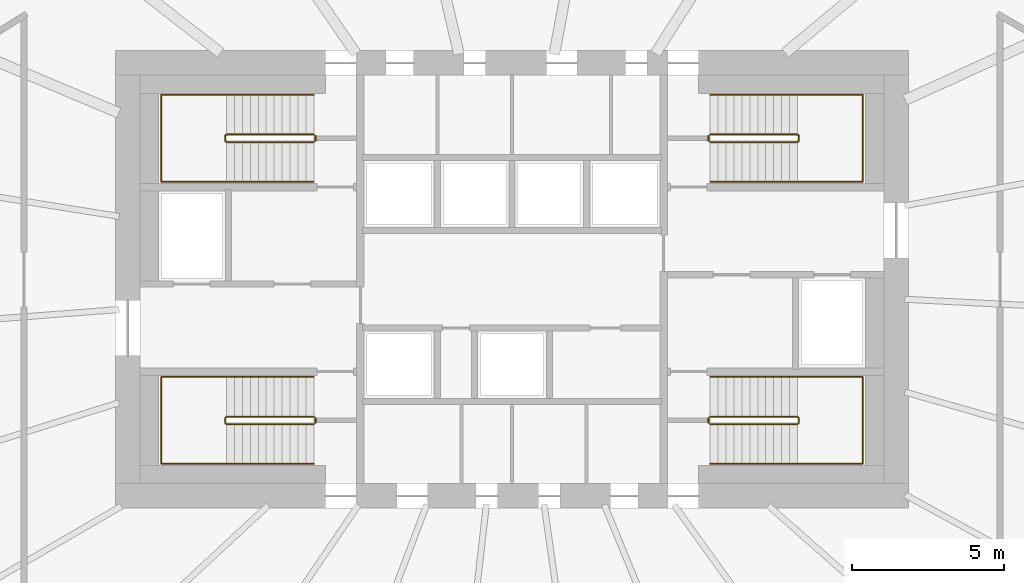
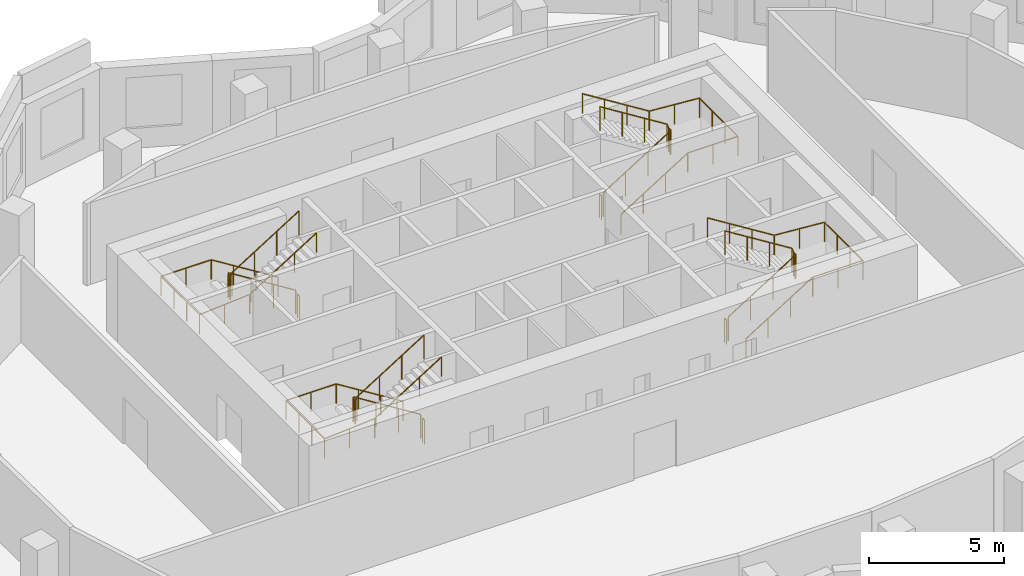
# One storey, part 8 of 8: 12 railings.
"""IFC4 building model written with IfcOpenShell, lengths in metres."""

from ifc_helpers import new_model, si_unit, direction, frame, origin, origin_2d, place, context, subcontext, project, spatial, circle, extrude, material, type_object, element, save


model = new_model("IFC4")

# Units and contexts
model_context = context("Model", 3, precision=1e-05, world=origin(), true_north=direction((0.0, 1.0)))
body_context = subcontext(model_context, "Body", "Model", "MODEL_VIEW")
ifc_project = project(units=[si_unit("LENGTHUNIT", "METRE"), si_unit("AREAUNIT", "SQUARE_METRE"), si_unit("VOLUMEUNIT", "CUBIC_METRE"), si_unit("PLANEANGLEUNIT", "RADIAN"), si_unit("MASSUNIT", "GRAM", prefix="KILO")], contexts=[model_context])

# Site, building, storey
site_placement = place(None, origin())
site = spatial("IfcSite", under=ifc_project, at=site_placement, CompositionType="ELEMENT")
building_placement = place(site_placement, origin())
building = spatial("IfcBuilding", under=site, at=building_placement, Name="Rubra Terraces Tower", CompositionType="ELEMENT")
storey_placement = place(building_placement, frame((0.0, 0.0, 240.89990234375)))
storey = spatial("IfcBuildingStorey", under=building, at=storey_placement, Name="L59", CompositionType="ELEMENT", Elevation=240.89990234375)

# Railings
ifc_material = material(Name="Stainless steel", Category="steel")
railing_type_1 = type_object("IfcRailingType", Name="Core stair guard 1100", PredefinedType="GUARDRAIL", material=ifc_material)
railing_1_placement = place(storey_placement, frame((-6.5, 0.0, 0.16259765625)))
element("IfcRailing", 1, at=railing_1_placement, inside=storey, type_object=railing_type_1, Name="L59 stair S1 guard 1", PredefinedType="GUARDRAIL", context=body_context, shape_type="SweptSolid", body=[
    extrude(circle(Radius=0.02392578125, at=origin_2d()), frame((0.0, 0.0, 1.076171875), z_axis=(-0.847994237388, 0.0, 0.530005446535), x_axis=(0.0, -1.0, 0.0)), (0.0, 0.0, 1.0), 3.372802734375),
    extrude(circle(Radius=0.02392578125, at=origin_2d()), frame((-2.860107421875, 0.0, 2.86376953125), z_axis=(-0.705375805398, -0.708833529934, 0.0), x_axis=(0.708833529934, -0.705375805398, 0.0)), (0.0, 0.0, 1.0), 0.070556640625),
    extrude(circle(Radius=0.02392578125, at=origin_2d()), frame((-2.909912109375, -0.050048828125, 2.86376953125), z_axis=(0.0, -1.0, 0.0), x_axis=(1.0, 0.0, 0.0)), (0.0, 0.0, 1.0), 0.14990234375),
    extrude(circle(Radius=0.02392578125, at=origin_2d()), frame((-2.909912109375, -0.199951171875, 2.86376953125), z_axis=(0.281314826061, -0.282693820306, 0.917031173188), x_axis=(0.708833529934, 0.705375805398, 0.0)), (0.0, 0.0, 1.0), 0.177001953125),
    extrude(circle(Radius=0.02392578125, at=origin_2d()), frame((-2.860107421875, -0.25, 3.02587890625), z_axis=(0.847994237388, 0.0, 0.530005446535), x_axis=(0.0, 1.0, 0.0)), (0.0, 0.0, 1.0), 3.372802734375),
    extrude(circle(Radius=0.02099609375, at=origin_2d()), origin(), (0.0, 0.0, 1.0), 1.052001953125),
    extrude(circle(Radius=0.02099609375, at=origin_2d()), frame((-0.953369140625, 0.0, 0.595947265625)), (0.0, 0.0, 1.0), 1.052001953125),
    extrude(circle(Radius=0.02099609375, at=origin_2d()), frame((-1.90673828125, 0.0, 1.191650390625)), (0.0, 0.0, 1.0), 1.052001953125),
    extrude(circle(Radius=0.02099609375, at=origin_2d()), frame((-2.860107421875, 0.0, 1.78759765625)), (0.0, 0.0, 1.0), 1.052001953125),
    extrude(circle(Radius=0.02099609375, at=origin_2d()), frame((-2.909912109375, -0.050048828125, 1.78759765625)), (0.0, 0.0, 1.0), 1.052001953125),
    extrude(circle(Radius=0.02099609375, at=origin_2d()), frame((-2.909912109375, -0.199951171875, 1.78759765625)), (0.0, 0.0, 1.0), 1.052001953125),
    extrude(circle(Radius=0.02099609375, at=origin_2d()), frame((-2.860107421875, -0.25, 1.949951171875)), (0.0, 0.0, 1.0), 1.052001953125),
    extrude(circle(Radius=0.02099609375, at=origin_2d()), frame((-1.90673828125, -0.25, 2.5458984375)), (0.0, 0.0, 1.0), 1.052001953125),
    extrude(circle(Radius=0.02099609375, at=origin_2d()), frame((-0.953369140625, -0.25, 3.1416015625)), (0.0, 0.0, 1.0), 1.052001953125),
    extrude(circle(Radius=0.02099609375, at=origin_2d()), frame((0.0, -0.25, 3.737548828125)), (0.0, 0.0, 1.0), 1.052001953125),
])
railing_2_placement = place(storey_placement, frame((-6.449951171875, -0.050048828125, 0.0)))
element("IfcRailing", 2, at=railing_2_placement, inside=storey, type_object=railing_type_1, Name="L59 stair S1 guard 2", PredefinedType="GUARDRAIL", context=body_context, shape_type="SweptSolid", body=[
    extrude(circle(Radius=0.02392578125, at=origin_2d()), frame((0.0, 0.0, 1.076171875), z_axis=(0.0, -1.0, 0.0), x_axis=(1.0, 0.0, 0.0)), (0.0, 0.0, 1.0), 0.14990234375),
    extrude(circle(Radius=0.02099609375, at=origin_2d()), origin(), (0.0, 0.0, 1.0), 1.052001953125),
    extrude(circle(Radius=0.02099609375, at=origin_2d()), frame((0.0, -0.14990234375, 0.0)), (0.0, 0.0, 1.0), 1.052001953125),
])
railing_3_placement = place(storey_placement, frame((-6.5, 9.25, 0.16259765625)))
element("IfcRailing", 3, at=railing_3_placement, inside=storey, type_object=railing_type_1, Name="L59 stair S2 guard 1", PredefinedType="GUARDRAIL", context=body_context, shape_type="SweptSolid", body=[
    extrude(circle(Radius=0.02392578125, at=origin_2d()), frame((0.0, 0.0, 1.076171875), z_axis=(-0.847994237388, 0.0, 0.530005446535), x_axis=(0.0, -1.0, 0.0)), (0.0, 0.0, 1.0), 3.372802734375),
    extrude(circle(Radius=0.02392578125, at=origin_2d()), frame((-2.860107421875, 0.0, 2.86376953125), z_axis=(-0.705375805398, -0.708833529934, 0.0), x_axis=(0.708833529934, -0.705375805398, 0.0)), (0.0, 0.0, 1.0), 0.070556640625),
    extrude(circle(Radius=0.02392578125, at=origin_2d()), frame((-2.909912109375, -0.050048828125, 2.86376953125), z_axis=(0.0, -1.0, 0.0), x_axis=(1.0, 0.0, 0.0)), (0.0, 0.0, 1.0), 0.14990234375),
    extrude(circle(Radius=0.02392578125, at=origin_2d()), frame((-2.909912109375, -0.199951171875, 2.86376953125), z_axis=(0.281314826061, -0.282693820306, 0.917031173188), x_axis=(0.708833529934, 0.705375805398, 0.0)), (0.0, 0.0, 1.0), 0.177001953125),
    extrude(circle(Radius=0.02392578125, at=origin_2d()), frame((-2.860107421875, -0.25, 3.02587890625), z_axis=(0.847994237388, 0.0, 0.530005446535), x_axis=(0.0, 1.0, 0.0)), (0.0, 0.0, 1.0), 3.372802734375),
    extrude(circle(Radius=0.02099609375, at=origin_2d()), origin(), (0.0, 0.0, 1.0), 1.052001953125),
    extrude(circle(Radius=0.02099609375, at=origin_2d()), frame((-0.953369140625, 0.0, 0.595947265625)), (0.0, 0.0, 1.0), 1.052001953125),
    extrude(circle(Radius=0.02099609375, at=origin_2d()), frame((-1.90673828125, 0.0, 1.191650390625)), (0.0, 0.0, 1.0), 1.052001953125),
    extrude(circle(Radius=0.02099609375, at=origin_2d()), frame((-2.860107421875, 0.0, 1.78759765625)), (0.0, 0.0, 1.0), 1.052001953125),
    extrude(circle(Radius=0.02099609375, at=origin_2d()), frame((-2.909912109375, -0.050048828125, 1.78759765625)), (0.0, 0.0, 1.0), 1.052001953125),
    extrude(circle(Radius=0.02099609375, at=origin_2d()), frame((-2.909912109375, -0.199951171875, 1.78759765625)), (0.0, 0.0, 1.0), 1.052001953125),
    extrude(circle(Radius=0.02099609375, at=origin_2d()), frame((-2.860107421875, -0.25, 1.949951171875)), (0.0, 0.0, 1.0), 1.052001953125),
    extrude(circle(Radius=0.02099609375, at=origin_2d()), frame((-1.90673828125, -0.25, 2.5458984375)), (0.0, 0.0, 1.0), 1.052001953125),
    extrude(circle(Radius=0.02099609375, at=origin_2d()), frame((-0.953369140625, -0.25, 3.1416015625)), (0.0, 0.0, 1.0), 1.052001953125),
    extrude(circle(Radius=0.02099609375, at=origin_2d()), frame((0.0, -0.25, 3.737548828125)), (0.0, 0.0, 1.0), 1.052001953125),
])
railing_4_placement = place(storey_placement, frame((-6.449951171875, 9.199951171875, 0.0)))
element("IfcRailing", 4, at=railing_4_placement, inside=storey, type_object=railing_type_1, Name="L59 stair S2 guard 2", PredefinedType="GUARDRAIL", context=body_context, shape_type="SweptSolid", body=[
    extrude(circle(Radius=0.02392578125, at=origin_2d()), frame((0.0, 0.0, 1.076171875), z_axis=(0.0, -1.0, 0.0), x_axis=(1.0, 0.0, 0.0)), (0.0, 0.0, 1.0), 0.14990234375),
    extrude(circle(Radius=0.02099609375, at=origin_2d()), origin(), (0.0, 0.0, 1.0), 1.052001953125),
    extrude(circle(Radius=0.02099609375, at=origin_2d()), frame((0.0, -0.14990234375, 0.0)), (0.0, 0.0, 1.0), 1.052001953125),
])
railing_5_placement = place(storey_placement, frame((6.5, 9.0, 0.16259765625)))
element("IfcRailing", 5, at=railing_5_placement, inside=storey, type_object=railing_type_1, Name="L59 stair S3 guard 1", PredefinedType="GUARDRAIL", context=body_context, shape_type="SweptSolid", body=[
    extrude(circle(Radius=0.02392578125, at=origin_2d()), frame((0.0, 0.0, 1.076171875), z_axis=(0.847994237388, 0.0, 0.530005446535), x_axis=(0.0, 1.0, 0.0)), (0.0, 0.0, 1.0), 3.372802734375),
    extrude(circle(Radius=0.02392578125, at=origin_2d()), frame((2.860107421875, 0.0, 2.86376953125), z_axis=(0.705375805398, 0.708833529934, 0.0), x_axis=(-0.708833529934, 0.705375805398, 0.0)), (0.0, 0.0, 1.0), 0.070556640625),
    extrude(circle(Radius=0.02392578125, at=origin_2d()), frame((2.909912109375, 0.050048828125, 2.86376953125), z_axis=(0.0, 1.0, 0.0), x_axis=(-1.0, 0.0, 0.0)), (0.0, 0.0, 1.0), 0.14990234375),
    extrude(circle(Radius=0.02392578125, at=origin_2d()), frame((2.909912109375, 0.199951171875, 2.86376953125), z_axis=(-0.281314826061, 0.282693820306, 0.917031173188), x_axis=(-0.708833529934, -0.705375805398, 0.0)), (0.0, 0.0, 1.0), 0.177001953125),
    extrude(circle(Radius=0.02392578125, at=origin_2d()), frame((2.860107421875, 0.25, 3.02587890625), z_axis=(-0.847994237388, 0.0, 0.530005446535), x_axis=(0.0, -1.0, 0.0)), (0.0, 0.0, 1.0), 3.372802734375),
    extrude(circle(Radius=0.02099609375, at=origin_2d()), origin(), (0.0, 0.0, 1.0), 1.052001953125),
    extrude(circle(Radius=0.02099609375, at=origin_2d()), frame((0.953369140625, 0.0, 0.595947265625)), (0.0, 0.0, 1.0), 1.052001953125),
    extrude(circle(Radius=0.02099609375, at=origin_2d()), frame((1.90673828125, 0.0, 1.191650390625)), (0.0, 0.0, 1.0), 1.052001953125),
    extrude(circle(Radius=0.02099609375, at=origin_2d()), frame((2.860107421875, 0.0, 1.78759765625)), (0.0, 0.0, 1.0), 1.052001953125),
    extrude(circle(Radius=0.02099609375, at=origin_2d()), frame((2.909912109375, 0.050048828125, 1.78759765625)), (0.0, 0.0, 1.0), 1.052001953125),
    extrude(circle(Radius=0.02099609375, at=origin_2d()), frame((2.909912109375, 0.199951171875, 1.78759765625)), (0.0, 0.0, 1.0), 1.052001953125),
    extrude(circle(Radius=0.02099609375, at=origin_2d()), frame((2.860107421875, 0.25, 1.949951171875)), (0.0, 0.0, 1.0), 1.052001953125),
    extrude(circle(Radius=0.02099609375, at=origin_2d()), frame((1.90673828125, 0.25, 2.5458984375)), (0.0, 0.0, 1.0), 1.052001953125),
    extrude(circle(Radius=0.02099609375, at=origin_2d()), frame((0.953369140625, 0.25, 3.1416015625)), (0.0, 0.0, 1.0), 1.052001953125),
    extrude(circle(Radius=0.02099609375, at=origin_2d()), frame((0.0, 0.25, 3.737548828125)), (0.0, 0.0, 1.0), 1.052001953125),
])
railing_6_placement = place(storey_placement, frame((6.449951171875, 9.050048828125, 0.0)))
element("IfcRailing", 6, at=railing_6_placement, inside=storey, type_object=railing_type_1, Name="L59 stair S3 guard 2", PredefinedType="GUARDRAIL", context=body_context, shape_type="SweptSolid", body=[
    extrude(circle(Radius=0.02392578125, at=origin_2d()), frame((0.0, 0.0, 1.076171875), z_axis=(0.0, 1.0, 0.0), x_axis=(-1.0, 0.0, 0.0)), (0.0, 0.0, 1.0), 0.14990234375),
    extrude(circle(Radius=0.02099609375, at=origin_2d()), origin(), (0.0, 0.0, 1.0), 1.052001953125),
    extrude(circle(Radius=0.02099609375, at=origin_2d()), frame((0.0, 0.14990234375, 0.0)), (0.0, 0.0, 1.0), 1.052001953125),
])
railing_7_placement = place(storey_placement, frame((6.5, -0.25, 0.16259765625)))
element("IfcRailing", 7, at=railing_7_placement, inside=storey, type_object=railing_type_1, Name="L59 stair S4 guard 1", PredefinedType="GUARDRAIL", context=body_context, shape_type="SweptSolid", body=[
    extrude(circle(Radius=0.02392578125, at=origin_2d()), frame((0.0, 0.0, 1.076171875), z_axis=(0.847994237388, 0.0, 0.530005446535), x_axis=(0.0, 1.0, 0.0)), (0.0, 0.0, 1.0), 3.372802734375),
    extrude(circle(Radius=0.02392578125, at=origin_2d()), frame((2.860107421875, 0.0, 2.86376953125), z_axis=(0.705375805398, 0.708833529934, 0.0), x_axis=(-0.708833529934, 0.705375805398, 0.0)), (0.0, 0.0, 1.0), 0.070556640625),
    extrude(circle(Radius=0.02392578125, at=origin_2d()), frame((2.909912109375, 0.050048828125, 2.86376953125), z_axis=(0.0, 1.0, 0.0), x_axis=(-1.0, 0.0, 0.0)), (0.0, 0.0, 1.0), 0.14990234375),
    extrude(circle(Radius=0.02392578125, at=origin_2d()), frame((2.909912109375, 0.199951171875, 2.86376953125), z_axis=(-0.281314826061, 0.282693820306, 0.917031173188), x_axis=(-0.708833529934, -0.705375805398, 0.0)), (0.0, 0.0, 1.0), 0.177001953125),
    extrude(circle(Radius=0.02392578125, at=origin_2d()), frame((2.860107421875, 0.25, 3.02587890625), z_axis=(-0.847994237388, 0.0, 0.530005446535), x_axis=(0.0, -1.0, 0.0)), (0.0, 0.0, 1.0), 3.372802734375),
    extrude(circle(Radius=0.02099609375, at=origin_2d()), origin(), (0.0, 0.0, 1.0), 1.052001953125),
    extrude(circle(Radius=0.02099609375, at=origin_2d()), frame((0.953369140625, 0.0, 0.595947265625)), (0.0, 0.0, 1.0), 1.052001953125),
    extrude(circle(Radius=0.02099609375, at=origin_2d()), frame((1.90673828125, 0.0, 1.191650390625)), (0.0, 0.0, 1.0), 1.052001953125),
    extrude(circle(Radius=0.02099609375, at=origin_2d()), frame((2.860107421875, 0.0, 1.78759765625)), (0.0, 0.0, 1.0), 1.052001953125),
    extrude(circle(Radius=0.02099609375, at=origin_2d()), frame((2.909912109375, 0.050048828125, 1.78759765625)), (0.0, 0.0, 1.0), 1.052001953125),
    extrude(circle(Radius=0.02099609375, at=origin_2d()), frame((2.909912109375, 0.199951171875, 1.78759765625)), (0.0, 0.0, 1.0), 1.052001953125),
    extrude(circle(Radius=0.02099609375, at=origin_2d()), frame((2.860107421875, 0.25, 1.949951171875)), (0.0, 0.0, 1.0), 1.052001953125),
    extrude(circle(Radius=0.02099609375, at=origin_2d()), frame((1.90673828125, 0.25, 2.5458984375)), (0.0, 0.0, 1.0), 1.052001953125),
    extrude(circle(Radius=0.02099609375, at=origin_2d()), frame((0.953369140625, 0.25, 3.1416015625)), (0.0, 0.0, 1.0), 1.052001953125),
    extrude(circle(Radius=0.02099609375, at=origin_2d()), frame((0.0, 0.25, 3.737548828125)), (0.0, 0.0, 1.0), 1.052001953125),
])
railing_8_placement = place(storey_placement, frame((6.449951171875, -0.199951171875, 0.0)))
element("IfcRailing", 8, at=railing_8_placement, inside=storey, type_object=railing_type_1, Name="L59 stair S4 guard 2", PredefinedType="GUARDRAIL", context=body_context, shape_type="SweptSolid", body=[
    extrude(circle(Radius=0.02392578125, at=origin_2d()), frame((0.0, 0.0, 1.076171875), z_axis=(0.0, 1.0, 0.0), x_axis=(-1.0, 0.0, 0.0)), (0.0, 0.0, 1.0), 0.14990234375),
    extrude(circle(Radius=0.02099609375, at=origin_2d()), origin(), (0.0, 0.0, 1.0), 1.052001953125),
    extrude(circle(Radius=0.02099609375, at=origin_2d()), frame((0.0, 0.14990234375, 0.0)), (0.0, 0.0, 1.0), 1.052001953125),
])
railing_type_2 = type_object("IfcRailingType", Name="Core stair handrail 900", PredefinedType="HANDRAIL", material=ifc_material)
railing_9_placement = place(storey_placement, frame((-6.5, 1.300048828125, 0.16259765625)))
element("IfcRailing", 9, at=railing_9_placement, inside=storey, type_object=railing_type_2, Name="L59 stair S1 handrail 1", PredefinedType="HANDRAIL", context=body_context, shape_type="SweptSolid", body=[
    extrude(circle(Radius=0.02392578125, at=origin_2d()), frame((0.0, 0.0, 0.8759765625), z_axis=(-0.847994237388, 0.0, 0.530005446535), x_axis=(0.0, -1.0, 0.0)), (0.0, 0.0, 1.0), 3.372802734375),
    extrude(circle(Radius=0.02392578125, at=origin_2d()), frame((-2.860107421875, 0.0, 2.66357421875), z_axis=(-1.0, 0.0, 0.0), x_axis=(0.0, -1.0, 0.0)), (0.0, 0.0, 1.0), 2.139892578125),
    extrude(circle(Radius=0.02392578125, at=origin_2d()), frame((-5.0, 0.0, 2.66357421875), z_axis=(0.0, -1.0, 0.0), x_axis=(1.0, 0.0, 0.0)), (0.0, 0.0, 1.0), 2.85009765625),
    extrude(circle(Radius=0.02392578125, at=origin_2d()), frame((-5.0, -2.85009765625, 2.66357421875), z_axis=(0.9971342424, 0.0, 0.075652512401), x_axis=(0.0, 1.0, 0.0)), (0.0, 0.0, 1.0), 2.14599609375),
    extrude(circle(Radius=0.02392578125, at=origin_2d()), frame((-2.860107421875, -2.85009765625, 2.82568359375), z_axis=(0.847994237388, 0.0, 0.530005446535), x_axis=(0.0, 1.0, 0.0)), (0.0, 0.0, 1.0), 3.372802734375),
    extrude(circle(Radius=0.02099609375, at=origin_2d()), origin(), (0.0, 0.0, 1.0), 0.851806640625),
    extrude(circle(Radius=0.02099609375, at=origin_2d()), frame((-0.953369140625, 0.0, 0.595947265625)), (0.0, 0.0, 1.0), 0.851806640625),
    extrude(circle(Radius=0.02099609375, at=origin_2d()), frame((-1.90673828125, 0.0, 1.191650390625)), (0.0, 0.0, 1.0), 0.851806640625),
    extrude(circle(Radius=0.02099609375, at=origin_2d()), frame((-2.860107421875, 0.0, 1.78759765625)), (0.0, 0.0, 1.0), 0.851806640625),
    extrude(circle(Radius=0.02099609375, at=origin_2d()), frame((-3.93017578125, 0.0, 1.78759765625)), (0.0, 0.0, 1.0), 0.851806640625),
    extrude(circle(Radius=0.02099609375, at=origin_2d()), frame((-5.0, 0.0, 1.78759765625)), (0.0, 0.0, 1.0), 0.851806640625),
    extrude(circle(Radius=0.02099609375, at=origin_2d()), frame((-5.0, -0.949951171875, 1.78759765625)), (0.0, 0.0, 1.0), 0.851806640625),
    extrude(circle(Radius=0.02099609375, at=origin_2d()), frame((-5.0, -1.900146484375, 1.78759765625)), (0.0, 0.0, 1.0), 0.851806640625),
    extrude(circle(Radius=0.02099609375, at=origin_2d()), frame((-5.0, -2.85009765625, 1.78759765625)), (0.0, 0.0, 1.0), 0.851806640625),
    extrude(circle(Radius=0.02099609375, at=origin_2d()), frame((-3.93017578125, -2.85009765625, 1.86865234375)), (0.0, 0.0, 1.0), 0.851806640625),
    extrude(circle(Radius=0.02099609375, at=origin_2d()), frame((-2.860107421875, -2.85009765625, 1.949951171875)), (0.0, 0.0, 1.0), 0.851806640625),
    extrude(circle(Radius=0.02099609375, at=origin_2d()), frame((-1.90673828125, -2.85009765625, 2.5458984375)), (0.0, 0.0, 1.0), 0.851806640625),
    extrude(circle(Radius=0.02099609375, at=origin_2d()), frame((-0.953369140625, -2.85009765625, 3.1416015625)), (0.0, 0.0, 1.0), 0.851806640625),
    extrude(circle(Radius=0.02099609375, at=origin_2d()), frame((0.0, -2.85009765625, 3.737548828125)), (0.0, 0.0, 1.0), 0.851806640625),
])
railing_10_placement = place(storey_placement, frame((-6.5, 10.550048828125, 0.16259765625)))
element("IfcRailing", 10, at=railing_10_placement, inside=storey, type_object=railing_type_2, Name="L59 stair S2 handrail 1", PredefinedType="HANDRAIL", context=body_context, shape_type="SweptSolid", body=[
    extrude(circle(Radius=0.02392578125, at=origin_2d()), frame((0.0, 0.0, 0.8759765625), z_axis=(-0.847994237388, 0.0, 0.530005446535), x_axis=(0.0, -1.0, 0.0)), (0.0, 0.0, 1.0), 3.372802734375),
    extrude(circle(Radius=0.02392578125, at=origin_2d()), frame((-2.860107421875, 0.0, 2.66357421875), z_axis=(-1.0, 0.0, 0.0), x_axis=(0.0, -1.0, 0.0)), (0.0, 0.0, 1.0), 2.139892578125),
    extrude(circle(Radius=0.02392578125, at=origin_2d()), frame((-5.0, 0.0, 2.66357421875), z_axis=(0.0, -1.0, 0.0), x_axis=(1.0, 0.0, 0.0)), (0.0, 0.0, 1.0), 2.85009765625),
    extrude(circle(Radius=0.02392578125, at=origin_2d()), frame((-5.0, -2.85009765625, 2.66357421875), z_axis=(0.9971342424, 0.0, 0.075652512401), x_axis=(0.0, 1.0, 0.0)), (0.0, 0.0, 1.0), 2.14599609375),
    extrude(circle(Radius=0.02392578125, at=origin_2d()), frame((-2.860107421875, -2.85009765625, 2.82568359375), z_axis=(0.847994237388, 0.0, 0.530005446535), x_axis=(0.0, 1.0, 0.0)), (0.0, 0.0, 1.0), 3.372802734375),
    extrude(circle(Radius=0.02099609375, at=origin_2d()), origin(), (0.0, 0.0, 1.0), 0.851806640625),
    extrude(circle(Radius=0.02099609375, at=origin_2d()), frame((-0.953369140625, 0.0, 0.595947265625)), (0.0, 0.0, 1.0), 0.851806640625),
    extrude(circle(Radius=0.02099609375, at=origin_2d()), frame((-1.90673828125, 0.0, 1.191650390625)), (0.0, 0.0, 1.0), 0.851806640625),
    extrude(circle(Radius=0.02099609375, at=origin_2d()), frame((-2.860107421875, 0.0, 1.78759765625)), (0.0, 0.0, 1.0), 0.851806640625),
    extrude(circle(Radius=0.02099609375, at=origin_2d()), frame((-3.93017578125, 0.0, 1.78759765625)), (0.0, 0.0, 1.0), 0.851806640625),
    extrude(circle(Radius=0.02099609375, at=origin_2d()), frame((-5.0, 0.0, 1.78759765625)), (0.0, 0.0, 1.0), 0.851806640625),
    extrude(circle(Radius=0.02099609375, at=origin_2d()), frame((-5.0, -0.949951171875, 1.78759765625)), (0.0, 0.0, 1.0), 0.851806640625),
    extrude(circle(Radius=0.02099609375, at=origin_2d()), frame((-5.0, -1.900146484375, 1.78759765625)), (0.0, 0.0, 1.0), 0.851806640625),
    extrude(circle(Radius=0.02099609375, at=origin_2d()), frame((-5.0, -2.85009765625, 1.78759765625)), (0.0, 0.0, 1.0), 0.851806640625),
    extrude(circle(Radius=0.02099609375, at=origin_2d()), frame((-3.93017578125, -2.85009765625, 1.86865234375)), (0.0, 0.0, 1.0), 0.851806640625),
    extrude(circle(Radius=0.02099609375, at=origin_2d()), frame((-2.860107421875, -2.85009765625, 1.949951171875)), (0.0, 0.0, 1.0), 0.851806640625),
    extrude(circle(Radius=0.02099609375, at=origin_2d()), frame((-1.90673828125, -2.85009765625, 2.5458984375)), (0.0, 0.0, 1.0), 0.851806640625),
    extrude(circle(Radius=0.02099609375, at=origin_2d()), frame((-0.953369140625, -2.85009765625, 3.1416015625)), (0.0, 0.0, 1.0), 0.851806640625),
    extrude(circle(Radius=0.02099609375, at=origin_2d()), frame((0.0, -2.85009765625, 3.737548828125)), (0.0, 0.0, 1.0), 0.851806640625),
])
railing_11_placement = place(storey_placement, frame((6.5, 7.699951171875, 0.16259765625)))
element("IfcRailing", 11, at=railing_11_placement, inside=storey, type_object=railing_type_2, Name="L59 stair S3 handrail 1", PredefinedType="HANDRAIL", context=body_context, shape_type="SweptSolid", body=[
    extrude(circle(Radius=0.02392578125, at=origin_2d()), frame((0.0, 0.0, 0.8759765625), z_axis=(0.847994237388, 0.0, 0.530005446535), x_axis=(0.0, 1.0, 0.0)), (0.0, 0.0, 1.0), 3.372802734375),
    extrude(circle(Radius=0.02392578125, at=origin_2d()), frame((2.860107421875, 0.0, 2.66357421875), z_axis=(1.0, 0.0, 0.0), x_axis=(0.0, 1.0, 0.0)), (0.0, 0.0, 1.0), 2.139892578125),
    extrude(circle(Radius=0.02392578125, at=origin_2d()), frame((5.0, 0.0, 2.66357421875), z_axis=(0.0, 1.0, 0.0), x_axis=(-1.0, 0.0, 0.0)), (0.0, 0.0, 1.0), 2.85009765625),
    extrude(circle(Radius=0.02392578125, at=origin_2d()), frame((5.0, 2.85009765625, 2.66357421875), z_axis=(-0.9971342424, 0.0, 0.075652512401), x_axis=(0.0, -1.0, 0.0)), (0.0, 0.0, 1.0), 2.14599609375),
    extrude(circle(Radius=0.02392578125, at=origin_2d()), frame((2.860107421875, 2.85009765625, 2.82568359375), z_axis=(-0.847994237388, 0.0, 0.530005446535), x_axis=(0.0, -1.0, 0.0)), (0.0, 0.0, 1.0), 3.372802734375),
    extrude(circle(Radius=0.02099609375, at=origin_2d()), origin(), (0.0, 0.0, 1.0), 0.851806640625),
    extrude(circle(Radius=0.02099609375, at=origin_2d()), frame((0.953369140625, 0.0, 0.595947265625)), (0.0, 0.0, 1.0), 0.851806640625),
    extrude(circle(Radius=0.02099609375, at=origin_2d()), frame((1.90673828125, 0.0, 1.191650390625)), (0.0, 0.0, 1.0), 0.851806640625),
    extrude(circle(Radius=0.02099609375, at=origin_2d()), frame((2.860107421875, 0.0, 1.78759765625)), (0.0, 0.0, 1.0), 0.851806640625),
    extrude(circle(Radius=0.02099609375, at=origin_2d()), frame((3.93017578125, 0.0, 1.78759765625)), (0.0, 0.0, 1.0), 0.851806640625),
    extrude(circle(Radius=0.02099609375, at=origin_2d()), frame((5.0, 0.0, 1.78759765625)), (0.0, 0.0, 1.0), 0.851806640625),
    extrude(circle(Radius=0.02099609375, at=origin_2d()), frame((5.0, 0.949951171875, 1.78759765625)), (0.0, 0.0, 1.0), 0.851806640625),
    extrude(circle(Radius=0.02099609375, at=origin_2d()), frame((5.0, 1.900146484375, 1.78759765625)), (0.0, 0.0, 1.0), 0.851806640625),
    extrude(circle(Radius=0.02099609375, at=origin_2d()), frame((5.0, 2.85009765625, 1.78759765625)), (0.0, 0.0, 1.0), 0.851806640625),
    extrude(circle(Radius=0.02099609375, at=origin_2d()), frame((3.93017578125, 2.85009765625, 1.86865234375)), (0.0, 0.0, 1.0), 0.851806640625),
    extrude(circle(Radius=0.02099609375, at=origin_2d()), frame((2.860107421875, 2.85009765625, 1.949951171875)), (0.0, 0.0, 1.0), 0.851806640625),
    extrude(circle(Radius=0.02099609375, at=origin_2d()), frame((1.90673828125, 2.85009765625, 2.5458984375)), (0.0, 0.0, 1.0), 0.851806640625),
    extrude(circle(Radius=0.02099609375, at=origin_2d()), frame((0.953369140625, 2.85009765625, 3.1416015625)), (0.0, 0.0, 1.0), 0.851806640625),
    extrude(circle(Radius=0.02099609375, at=origin_2d()), frame((0.0, 2.85009765625, 3.737548828125)), (0.0, 0.0, 1.0), 0.851806640625),
])
railing_12_placement = place(storey_placement, frame((6.5, -1.550048828125, 0.16259765625)))
element("IfcRailing", 12, at=railing_12_placement, inside=storey, type_object=railing_type_2, Name="L59 stair S4 handrail 1", PredefinedType="HANDRAIL", context=body_context, shape_type="SweptSolid", body=[
    extrude(circle(Radius=0.02392578125, at=origin_2d()), frame((0.0, 0.0, 0.8759765625), z_axis=(0.847994237388, 0.0, 0.530005446535), x_axis=(0.0, 1.0, 0.0)), (0.0, 0.0, 1.0), 3.372802734375),
    extrude(circle(Radius=0.02392578125, at=origin_2d()), frame((2.860107421875, 0.0, 2.66357421875), z_axis=(1.0, 0.0, 0.0), x_axis=(0.0, 1.0, 0.0)), (0.0, 0.0, 1.0), 2.139892578125),
    extrude(circle(Radius=0.02392578125, at=origin_2d()), frame((5.0, 0.0, 2.66357421875), z_axis=(0.0, 1.0, 0.0), x_axis=(-1.0, 0.0, 0.0)), (0.0, 0.0, 1.0), 2.85009765625),
    extrude(circle(Radius=0.02392578125, at=origin_2d()), frame((5.0, 2.85009765625, 2.66357421875), z_axis=(-0.9971342424, 0.0, 0.075652512401), x_axis=(0.0, -1.0, 0.0)), (0.0, 0.0, 1.0), 2.14599609375),
    extrude(circle(Radius=0.02392578125, at=origin_2d()), frame((2.860107421875, 2.85009765625, 2.82568359375), z_axis=(-0.847994237388, 0.0, 0.530005446535), x_axis=(0.0, -1.0, 0.0)), (0.0, 0.0, 1.0), 3.372802734375),
    extrude(circle(Radius=0.02099609375, at=origin_2d()), origin(), (0.0, 0.0, 1.0), 0.851806640625),
    extrude(circle(Radius=0.02099609375, at=origin_2d()), frame((0.953369140625, 0.0, 0.595947265625)), (0.0, 0.0, 1.0), 0.851806640625),
    extrude(circle(Radius=0.02099609375, at=origin_2d()), frame((1.90673828125, 0.0, 1.191650390625)), (0.0, 0.0, 1.0), 0.851806640625),
    extrude(circle(Radius=0.02099609375, at=origin_2d()), frame((2.860107421875, 0.0, 1.78759765625)), (0.0, 0.0, 1.0), 0.851806640625),
    extrude(circle(Radius=0.02099609375, at=origin_2d()), frame((3.93017578125, 0.0, 1.78759765625)), (0.0, 0.0, 1.0), 0.851806640625),
    extrude(circle(Radius=0.02099609375, at=origin_2d()), frame((5.0, 0.0, 1.78759765625)), (0.0, 0.0, 1.0), 0.851806640625),
    extrude(circle(Radius=0.02099609375, at=origin_2d()), frame((5.0, 0.949951171875, 1.78759765625)), (0.0, 0.0, 1.0), 0.851806640625),
    extrude(circle(Radius=0.02099609375, at=origin_2d()), frame((5.0, 1.900146484375, 1.78759765625)), (0.0, 0.0, 1.0), 0.851806640625),
    extrude(circle(Radius=0.02099609375, at=origin_2d()), frame((5.0, 2.85009765625, 1.78759765625)), (0.0, 0.0, 1.0), 0.851806640625),
    extrude(circle(Radius=0.02099609375, at=origin_2d()), frame((3.93017578125, 2.85009765625, 1.86865234375)), (0.0, 0.0, 1.0), 0.851806640625),
    extrude(circle(Radius=0.02099609375, at=origin_2d()), frame((2.860107421875, 2.85009765625, 1.949951171875)), (0.0, 0.0, 1.0), 0.851806640625),
    extrude(circle(Radius=0.02099609375, at=origin_2d()), frame((1.90673828125, 2.85009765625, 2.5458984375)), (0.0, 0.0, 1.0), 0.851806640625),
    extrude(circle(Radius=0.02099609375, at=origin_2d()), frame((0.953369140625, 2.85009765625, 3.1416015625)), (0.0, 0.0, 1.0), 0.851806640625),
    extrude(circle(Radius=0.02099609375, at=origin_2d()), frame((0.0, 2.85009765625, 3.737548828125)), (0.0, 0.0, 1.0), 0.851806640625),
])

save(model, "model.ifc")
